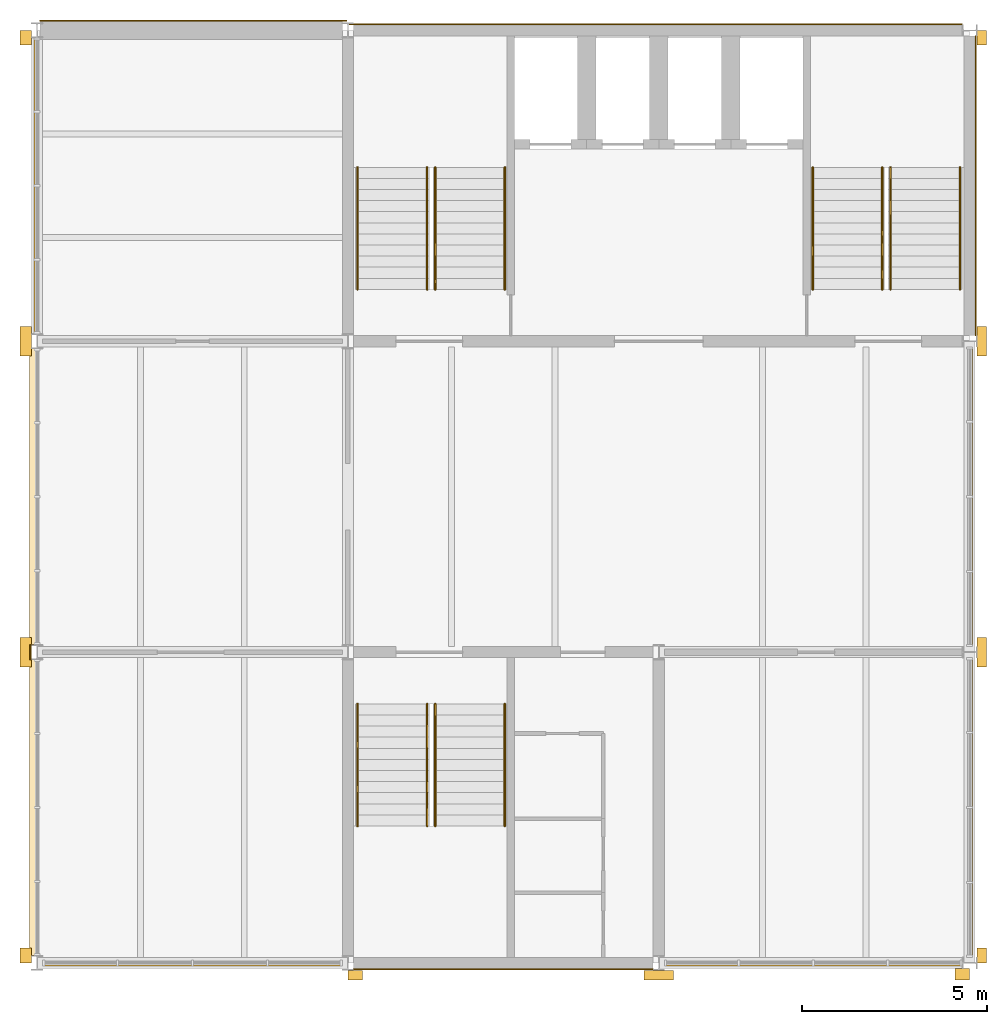
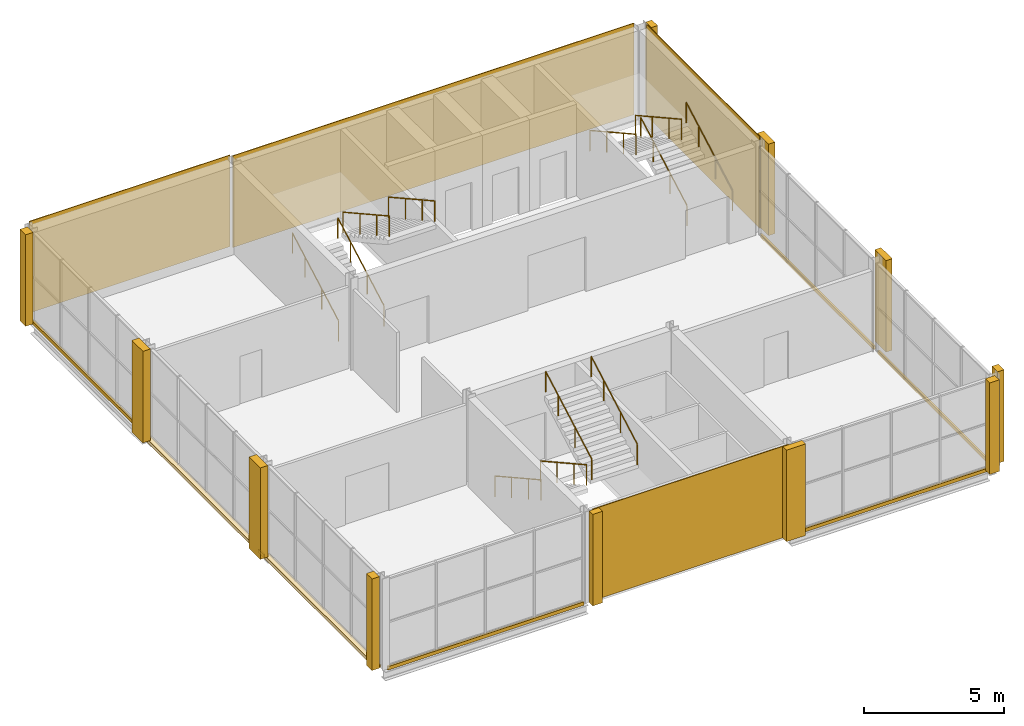
# One storey, part 8 of 8: 23 coverings, 12 railings.
"""IFC4 building model written with IfcOpenShell, lengths in metres."""

from ifc_helpers import new_model, si_unit, direction, frame, origin, origin_2d, place, context, subcontext, project, spatial, rectangle, circle, extrude, material, layer, layer_set, type_object, element, save


model = new_model("IFC4")

# Units and contexts
model_context = context("Model", 3, precision=1e-05, world=origin(), true_north=direction((0.0, 1.0)))
body_context = subcontext(model_context, "Body", "Model", "MODEL_VIEW")
ifc_project = project(units=[si_unit("LENGTHUNIT", "METRE"), si_unit("AREAUNIT", "SQUARE_METRE"), si_unit("VOLUMEUNIT", "CUBIC_METRE"), si_unit("PLANEANGLEUNIT", "RADIAN"), si_unit("MASSUNIT", "GRAM", prefix="KILO")], contexts=[model_context])

# Site, building, storey
site_placement = place(None, origin())
site = spatial("IfcSite", under=ifc_project, at=site_placement, CompositionType="ELEMENT")
building_placement = place(site_placement, origin())
building = spatial("IfcBuilding", under=site, at=building_placement, Name="Galleria Vessillo Department Store", CompositionType="ELEMENT")
storey_placement = place(building_placement, frame((0.0, 0.0, 51.60009765625)))
storey = spatial("IfcBuildingStorey", under=building, at=storey_placement, Name="L11", CompositionType="ELEMENT", Elevation=51.60009765625)

# Coverings
ifc_material_1 = material(Name="Lime plaster (intonaco) ochre")
ifc_layer_1 = layer(ifc_material_1, 0.030029296875)
ifc_layer_set_1 = layer_set([ifc_layer_1], Name="Lime plaster (intonaco) ochre")
covering_type_1 = type_object("IfcCoveringType", Name="Lime plaster render 30 mm", PredefinedType="CLADDING", material=ifc_layer_set_1)
covering_1_placement = place(storey_placement, frame((96.62255859375, 63.264892578125, 0.0), z_axis=(0.0, 0.0, 1.0), x_axis=(1.0, 0.0, 0.0)))
element("IfcCovering", 1, at=covering_1_placement, inside=storey, type_object=covering_type_1, Name="Wall cladding S-TN-L11-01", PredefinedType="CLADDING", context=body_context, shape_type="SweptSolid", body=[
    extrude(rectangle(XDim=8.29541015625, YDim=0.030029296875, at=origin_2d()), origin(), (0.0, 0.0, 1.0), 4.0),
])
covering_2_placement = place(storey_placement, frame((109.114990234375, 63.1650390625, 0.0), z_axis=(0.0, 0.0, 1.0), x_axis=(1.0, 0.0, 0.0)))
element("IfcCovering", 2, at=covering_2_placement, inside=storey, type_object=covering_type_1, Name="Wall cladding S-CW-TC-PARTY-L11", PredefinedType="CLADDING", context=body_context, shape_type="SweptSolid", body=[
    extrude(rectangle(XDim=16.570068359375, YDim=0.030029296875, at=origin_2d()), origin(), (0.0, 0.0, 1.0), 4.0),
])
ifc_material_2 = material(Name="Botticino limestone ashlar", Category="masonry")
ifc_layer_2 = layer(ifc_material_2, 0.14990234375)
ifc_layer_set_2 = layer_set([ifc_layer_2], Name="Botticino limestone ashlar")
covering_type_2 = type_object("IfcCoveringType", Name="Limestone slab-edge fascia 150 mm", PredefinedType="CLADDING", material=ifc_layer_set_2)
covering_3_placement = place(storey_placement, frame((92.2998046875, 42.0, -0.14990234375), z_axis=(0.0, 0.0, 1.0), x_axis=(1.0, 0.0, 0.0)))
element("IfcCovering", 3, at=covering_3_placement, inside=storey, type_object=covering_type_2, Name="Slab-edge fascia TW-L10-01", PredefinedType="CLADDING", context=body_context, shape_type="SweptSolid", body=[
    extrude(rectangle(XDim=0.199951171875, YDim=8.0, at=origin_2d()), origin(), (0.0, 0.0, 1.0), 0.14990234375),
])
covering_4_placement = place(storey_placement, frame((92.2998046875, 50.39990234375, -0.14990234375), z_axis=(0.0, 0.0, 1.0), x_axis=(1.0, 0.0, 0.0)))
element("IfcCovering", 4, at=covering_4_placement, inside=storey, type_object=covering_type_2, Name="Slab-edge fascia TW-L10-02", PredefinedType="CLADDING", context=body_context, shape_type="SweptSolid", body=[
    extrude(rectangle(XDim=0.199951171875, YDim=8.000244140625, at=origin_2d()), origin(), (0.0, 0.0, 1.0), 0.14990234375),
])
covering_5_placement = place(storey_placement, frame((92.35986328125, 58.800048828125, -0.14990234375), z_axis=(0.0, 0.0, 1.0), x_axis=(1.0, 0.0, 0.0)))
element("IfcCovering", 5, at=covering_5_placement, inside=storey, type_object=covering_type_2, Name="Slab-edge fascia TW-L10-03", PredefinedType="CLADDING", context=body_context, shape_type="SweptSolid", body=[
    extrude(rectangle(XDim=0.080078125, YDim=8.0, at=origin_2d()), origin(), (0.0, 0.0, 1.0), 0.14990234375),
])
covering_6_placement = place(storey_placement, frame((96.60009765625, 37.760009765625, -0.14990234375), z_axis=(0.0, 0.0, 1.0), x_axis=(1.0, 0.0, 0.0)))
element("IfcCovering", 6, at=covering_6_placement, inside=storey, type_object=covering_type_2, Name="Slab-edge fascia TS-L10-01", PredefinedType="CLADDING", context=body_context, shape_type="SweptSolid", body=[
    extrude(rectangle(XDim=8.10009765625, YDim=0.080078125, at=origin_2d()), origin(), (0.0, 0.0, 1.0), 0.14990234375),
])
covering_7_placement = place(storey_placement, frame((113.375, 37.760009765625, -0.14990234375), z_axis=(0.0, 0.0, 1.0), x_axis=(1.0, 0.0, 0.0)))
element("IfcCovering", 7, at=covering_7_placement, inside=storey, type_object=covering_type_2, Name="Slab-edge fascia TS-L10-02", PredefinedType="CLADDING", context=body_context, shape_type="SweptSolid", body=[
    extrude(rectangle(XDim=8.050048828125, YDim=0.080078125, at=origin_2d()), origin(), (0.0, 0.0, 1.0), 0.14990234375),
])
covering_8_placement = place(storey_placement, frame((117.64013671875, 42.0, -0.14990234375), z_axis=(0.0, 0.0, 1.0), x_axis=(1.0, 0.0, 0.0)))
element("IfcCovering", 8, at=covering_8_placement, inside=storey, type_object=covering_type_2, Name="Slab-edge fascia TE-L10-01", PredefinedType="CLADDING", context=body_context, shape_type="SweptSolid", body=[
    extrude(rectangle(XDim=0.080078125, YDim=8.099853515625, at=origin_2d()), origin(), (0.0, 0.0, 1.0), 0.14990234375),
])
covering_9_placement = place(storey_placement, frame((117.64013671875, 50.39990234375, -0.14990234375), z_axis=(0.0, 0.0, 1.0), x_axis=(1.0, 0.0, 0.0)))
element("IfcCovering", 9, at=covering_9_placement, inside=storey, type_object=covering_type_2, Name="Slab-edge fascia TE-L10-02", PredefinedType="CLADDING", context=body_context, shape_type="SweptSolid", body=[
    extrude(rectangle(XDim=0.080078125, YDim=8.10009765625, at=origin_2d()), origin(), (0.0, 0.0, 1.0), 0.14990234375),
])
covering_10_placement = place(storey_placement, frame((92.224853515625, 46.199951171875, -0.150146484375), z_axis=(0.0, 0.0, 1.0), x_axis=(1.0, 0.0, 0.0)))
element("IfcCovering", 10, at=covering_10_placement, inside=storey, type_object=covering_type_2, Name="Joint block Slab-edge fascia TW-L10-01", PredefinedType="CLADDING", context=body_context, shape_type="SweptSolid", body=[
    extrude(rectangle(XDim=0.0498046875, YDim=0.39990234375, at=origin_2d()), origin(), (0.0, 0.0, 1.0), 0.14990234375),
])
ifc_material_3 = material(Name="Botticino limestone ashlar", Category="masonry")
ifc_layer_3 = layer(ifc_material_3, 0.31005859375)
ifc_layer_set_3 = layer_set([ifc_layer_3], Name="Botticino limestone ashlar")
covering_type_3 = type_object("IfcCoveringType", Name="Limestone tower pilaster strip", PredefinedType="CLADDING", material=ifc_layer_set_3)
covering_11_placement = place(storey_placement, frame((92.094970703125, 38.0, 0.0), z_axis=(0.0, 0.0, 1.0), x_axis=(1.0, 0.0, 0.0)))
element("IfcCovering", 11, at=covering_11_placement, inside=storey, type_object=covering_type_3, Name="Tower pilaster strip W L11 37.8", PredefinedType="CLADDING", context=body_context, shape_type="SweptSolid", body=[
    extrude(rectangle(XDim=0.31005859375, YDim=0.39990234375, at=origin_2d()), origin(), (0.0, 0.0, 1.0), 4.0),
])
for number, where, z_axis, x_axis, name in (
    (12, (92.094970703125, 46.199951171875, 0.0), (0.0, 0.0, 1.0), (1.0, 0.0, 0.0), "Tower pilaster strip W L11 46.2"),
    (13, (92.094970703125, 54.60009765625, 0.0), (0.0, 0.0, 1.0), (1.0, 0.0, 0.0), "Tower pilaster strip W L11 54.6"),
):
    element("IfcCovering", number, at=place(storey_placement, frame(where, z_axis=z_axis, x_axis=x_axis)), inside=storey, type_object=covering_type_3, Name=name, PredefinedType="CLADDING", context=body_context, shape_type="SweptSolid", body=[
        extrude(rectangle(XDim=0.31005859375, YDim=0.800048828125, at=origin_2d()), origin(), (0.0, 0.0, 1.0), 4.0),
    ])
covering_12_placement = place(storey_placement, frame((92.094970703125, 62.800048828125, 0.0), z_axis=(0.0, 0.0, 1.0), x_axis=(1.0, 0.0, 0.0)))
element("IfcCovering", 14, at=covering_12_placement, inside=storey, type_object=covering_type_3, Name="Tower pilaster strip W L11 63.0", PredefinedType="CLADDING", context=body_context, shape_type="SweptSolid", body=[
    extrude(rectangle(XDim=0.31005859375, YDim=0.39990234375, at=origin_2d()), origin(), (0.0, 0.0, 1.0), 4.0),
])
covering_13_placement = place(storey_placement, frame((117.929931640625, 38.0, 0.0), z_axis=(0.0, 0.0, 1.0), x_axis=(1.0, 0.0, 0.0)))
element("IfcCovering", 15, at=covering_13_placement, inside=storey, type_object=covering_type_3, Name="Tower pilaster strip E L11 37.8", PredefinedType="CLADDING", context=body_context, shape_type="SweptSolid", body=[
    extrude(rectangle(XDim=0.260009765625, YDim=0.39990234375, at=origin_2d()), origin(), (0.0, 0.0, 1.0), 4.0),
])
for number, where, z_axis, x_axis, name in (
    (16, (117.929931640625, 46.199951171875, 0.0), (0.0, 0.0, 1.0), (1.0, 0.0, 0.0), "Tower pilaster strip E L11 46.2"),
    (17, (117.929931640625, 54.60009765625, 0.0), (0.0, 0.0, 1.0), (1.0, 0.0, 0.0), "Tower pilaster strip E L11 54.6"),
):
    element("IfcCovering", number, at=place(storey_placement, frame(where, z_axis=z_axis, x_axis=x_axis)), inside=storey, type_object=covering_type_3, Name=name, PredefinedType="CLADDING", context=body_context, shape_type="SweptSolid", body=[
        extrude(rectangle(XDim=0.260009765625, YDim=0.800048828125, at=origin_2d()), origin(), (0.0, 0.0, 1.0), 4.0),
    ])
covering_14_placement = place(storey_placement, frame((117.929931640625, 62.800048828125, 0.0), z_axis=(0.0, 0.0, 1.0), x_axis=(1.0, 0.0, 0.0)))
element("IfcCovering", 18, at=covering_14_placement, inside=storey, type_object=covering_type_3, Name="Tower pilaster strip E L11 63.0", PredefinedType="CLADDING", context=body_context, shape_type="SweptSolid", body=[
    extrude(rectangle(XDim=0.260009765625, YDim=0.39990234375, at=origin_2d()), origin(), (0.0, 0.0, 1.0), 4.0),
])
covering_15_placement = place(storey_placement, frame((101.0, 37.469970703125, 0.0), z_axis=(0.0, 0.0, 1.0), x_axis=(1.0, 0.0, 0.0)))
element("IfcCovering", 19, at=covering_15_placement, inside=storey, type_object=covering_type_3, Name="Tower pilaster strip S L11 100.8", PredefinedType="CLADDING", context=body_context, shape_type="SweptSolid", body=[
    extrude(rectangle(XDim=0.39990234375, YDim=0.260009765625, at=origin_2d()), origin(), (0.0, 0.0, 1.0), 4.0),
])
covering_16_placement = place(storey_placement, frame((109.199951171875, 37.469970703125, 0.0), z_axis=(0.0, 0.0, 1.0), x_axis=(1.0, 0.0, 0.0)))
element("IfcCovering", 20, at=covering_16_placement, inside=storey, type_object=covering_type_3, Name="Tower pilaster strip S L11 109.2", PredefinedType="CLADDING", context=body_context, shape_type="SweptSolid", body=[
    extrude(rectangle(XDim=0.800048828125, YDim=0.260009765625, at=origin_2d()), origin(), (0.0, 0.0, 1.0), 4.0),
])
covering_17_placement = place(storey_placement, frame((117.400146484375, 37.4951171875, 0.0), z_axis=(0.0, 0.0, 1.0), x_axis=(1.0, 0.0, 0.0)))
element("IfcCovering", 21, at=covering_17_placement, inside=storey, type_object=covering_type_3, Name="Tower pilaster strip S L11 117.6", PredefinedType="CLADDING", context=body_context, shape_type="SweptSolid", body=[
    extrude(rectangle(XDim=0.39990234375, YDim=0.31005859375, at=origin_2d()), origin(), (0.0, 0.0, 1.0), 4.0),
])
ifc_material_4 = material(Name="Botticino limestone ashlar", Category="masonry")
ifc_layer_4 = layer(ifc_material_4, 0.030029296875)
ifc_layer_set_4 = layer_set([ifc_layer_4], Name="Botticino limestone ashlar")
covering_type_4 = type_object("IfcCoveringType", Name="Limestone wall cladding 30 mm", PredefinedType="CLADDING", material=ifc_layer_set_4)
covering_18_placement = place(storey_placement, frame((117.76513671875, 58.800048828125, 0.0), z_axis=(0.0, 0.0, 1.0), x_axis=(1.0, 0.0, 0.0)))
element("IfcCovering", 22, at=covering_18_placement, inside=storey, type_object=covering_type_4, Name="Wall cladding S-CW-TC-EAST-L11", PredefinedType="CLADDING", context=body_context, shape_type="SweptSolid", body=[
    extrude(rectangle(XDim=0.030029296875, YDim=8.099853515625, at=origin_2d()), origin(), (0.0, 0.0, 1.0), 4.0),
])
covering_19_placement = place(storey_placement, frame((105.0, 37.635009765625, 0.0), z_axis=(0.0, 0.0, 1.0), x_axis=(1.0, 0.0, 0.0)))
element("IfcCovering", 23, at=covering_19_placement, inside=storey, type_object=covering_type_4, Name="Wall cladding S-CW-TS-PARTY-L11", PredefinedType="CLADDING", context=body_context, shape_type="SweptSolid", body=[
    extrude(rectangle(XDim=8.099853515625, YDim=0.030029296875, at=origin_2d()), origin(), (0.0, 0.0, 1.0), 4.0),
])

# Railings
ifc_material_5 = material(Name="Stainless steel tube", Category="steel")
railing_type = type_object("IfcRailingType", Name="Stair handrail steel tube 48 mm", PredefinedType="HANDRAIL", material=ifc_material_5)
for number, where, name in (
    (24, (101.06005859375, 56.0, 0.166748046875), "Handrail ST8 L11 flight 1A"),
    (25, (102.93994140625, 56.0, 0.166748046875), "Handrail ST8 L11 flight 1B"),
):
    element("IfcRailing", number, at=place(storey_placement, frame(where)), inside=storey, type_object=railing_type, Name=name, PredefinedType="HANDRAIL", context=body_context, shape_type="SweptSolid", body=[
        extrude(circle(Radius=0.02392578125, at=origin_2d()), frame((0.0, 0.0, 0.89599609375), z_axis=(0.0, 0.874199221805, 0.485567421267), x_axis=(-1.0, 0.0, 0.0)), (0.0, 0.0, 1.0), 1.37255859375),
        extrude(circle(Radius=0.02392578125, at=origin_2d()), frame((0.0, 1.199951171875, 1.5625), z_axis=(0.0, 0.874123717778, 0.485703331282), x_axis=(-1.0, 0.0, 0.0)), (0.0, 0.0, 1.0), 1.372802734375),
        extrude(circle(Radius=0.02392578125, at=origin_2d()), frame((0.0, 2.39990234375, 2.22900390625), z_axis=(0.0, 0.874190826042, 0.485582536407), x_axis=(-1.0, 0.0, 0.0)), (0.0, 0.0, 1.0), 1.02978515625),
        extrude(circle(Radius=0.02099609375, at=origin_2d()), origin(), (0.0, 0.0, 1.0), 0.871826171875),
        extrude(circle(Radius=0.02099609375, at=origin_2d()), frame((0.0, 1.199951171875, 0.66650390625)), (0.0, 0.0, 1.0), 0.871826171875),
        extrude(circle(Radius=0.02099609375, at=origin_2d()), frame((0.0, 2.39990234375, 1.333251953125)), (0.0, 0.0, 1.0), 0.871826171875),
        extrude(circle(Radius=0.02099609375, at=origin_2d()), frame((0.0, 3.300048828125, 1.833251953125)), (0.0, 0.0, 1.0), 0.871826171875),
    ])
for number, where, name in (
    (26, (105.0400390625, 59.300048828125, 2.166748046875), "Handrail ST8 L11 flight 2A"),
    (27, (103.16015625, 59.300048828125, 2.166748046875), "Handrail ST8 L11 flight 2B"),
):
    element("IfcRailing", number, at=place(storey_placement, frame(where)), inside=storey, type_object=railing_type, Name=name, PredefinedType="HANDRAIL", context=body_context, shape_type="SweptSolid", body=[
        extrude(circle(Radius=0.02392578125, at=origin_2d()), frame((0.0, 0.0, 0.89599609375), z_axis=(0.0, -0.874199221805, 0.485567421267), x_axis=(1.0, 0.0, 0.0)), (0.0, 0.0, 1.0), 1.37255859375),
        extrude(circle(Radius=0.02392578125, at=origin_2d()), frame((0.0, -1.199951171875, 1.5625), z_axis=(0.0, -0.874123717778, 0.485703331282), x_axis=(1.0, 0.0, 0.0)), (0.0, 0.0, 1.0), 1.372802734375),
        extrude(circle(Radius=0.02392578125, at=origin_2d()), frame((0.0, -2.39990234375, 2.22900390625), z_axis=(0.0, -0.874190826042, 0.485582536407), x_axis=(1.0, 0.0, 0.0)), (0.0, 0.0, 1.0), 1.02978515625),
        extrude(circle(Radius=0.02099609375, at=origin_2d()), origin(), (0.0, 0.0, 1.0), 0.871826171875),
        extrude(circle(Radius=0.02099609375, at=origin_2d()), frame((0.0, -1.199951171875, 0.66650390625)), (0.0, 0.0, 1.0), 0.871826171875),
        extrude(circle(Radius=0.02099609375, at=origin_2d()), frame((0.0, -2.39990234375, 1.333251953125)), (0.0, 0.0, 1.0), 0.871826171875),
        extrude(circle(Radius=0.02099609375, at=origin_2d()), frame((0.0, -3.300048828125, 1.833251953125)), (0.0, 0.0, 1.0), 0.871826171875),
    ])
for number, where, name in (
    (28, (115.4599609375, 56.0, 0.166748046875), "Handrail ST9 L11 flight 1A"),
    (29, (117.33984375, 56.0, 0.166748046875), "Handrail ST9 L11 flight 1B"),
):
    element("IfcRailing", number, at=place(storey_placement, frame(where)), inside=storey, type_object=railing_type, Name=name, PredefinedType="HANDRAIL", context=body_context, shape_type="SweptSolid", body=[
        extrude(circle(Radius=0.02392578125, at=origin_2d()), frame((0.0, 0.0, 0.89599609375), z_axis=(0.0, 0.874199221805, 0.485567421267), x_axis=(-1.0, 0.0, 0.0)), (0.0, 0.0, 1.0), 1.37255859375),
        extrude(circle(Radius=0.02392578125, at=origin_2d()), frame((0.0, 1.199951171875, 1.5625), z_axis=(0.0, 0.874123717778, 0.485703331282), x_axis=(-1.0, 0.0, 0.0)), (0.0, 0.0, 1.0), 1.372802734375),
        extrude(circle(Radius=0.02392578125, at=origin_2d()), frame((0.0, 2.39990234375, 2.22900390625), z_axis=(0.0, 0.874190826042, 0.485582536407), x_axis=(-1.0, 0.0, 0.0)), (0.0, 0.0, 1.0), 1.02978515625),
        extrude(circle(Radius=0.02099609375, at=origin_2d()), origin(), (0.0, 0.0, 1.0), 0.871826171875),
        extrude(circle(Radius=0.02099609375, at=origin_2d()), frame((0.0, 1.199951171875, 0.66650390625)), (0.0, 0.0, 1.0), 0.871826171875),
        extrude(circle(Radius=0.02099609375, at=origin_2d()), frame((0.0, 2.39990234375, 1.333251953125)), (0.0, 0.0, 1.0), 0.871826171875),
        extrude(circle(Radius=0.02099609375, at=origin_2d()), frame((0.0, 3.300048828125, 1.833251953125)), (0.0, 0.0, 1.0), 0.871826171875),
    ])
for number, where, name in (
    (30, (115.239990234375, 59.300048828125, 2.166748046875), "Handrail ST9 L11 flight 2A"),
    (31, (113.360107421875, 59.300048828125, 2.166748046875), "Handrail ST9 L11 flight 2B"),
    (32, (102.93994140625, 44.800048828125, 0.166748046875), "Handrail ST12 L11 flight 1A"),
    (33, (101.06005859375, 44.800048828125, 0.166748046875), "Handrail ST12 L11 flight 1B"),
):
    element("IfcRailing", number, at=place(storey_placement, frame(where)), inside=storey, type_object=railing_type, Name=name, PredefinedType="HANDRAIL", context=body_context, shape_type="SweptSolid", body=[
        extrude(circle(Radius=0.02392578125, at=origin_2d()), frame((0.0, 0.0, 0.89599609375), z_axis=(0.0, -0.874199221805, 0.485567421267), x_axis=(1.0, 0.0, 0.0)), (0.0, 0.0, 1.0), 1.37255859375),
        extrude(circle(Radius=0.02392578125, at=origin_2d()), frame((0.0, -1.199951171875, 1.5625), z_axis=(0.0, -0.874123717778, 0.485703331282), x_axis=(1.0, 0.0, 0.0)), (0.0, 0.0, 1.0), 1.372802734375),
        extrude(circle(Radius=0.02392578125, at=origin_2d()), frame((0.0, -2.39990234375, 2.22900390625), z_axis=(0.0, -0.874190826042, 0.485582536407), x_axis=(1.0, 0.0, 0.0)), (0.0, 0.0, 1.0), 1.02978515625),
        extrude(circle(Radius=0.02099609375, at=origin_2d()), origin(), (0.0, 0.0, 1.0), 0.871826171875),
        extrude(circle(Radius=0.02099609375, at=origin_2d()), frame((0.0, -1.199951171875, 0.66650390625)), (0.0, 0.0, 1.0), 0.871826171875),
        extrude(circle(Radius=0.02099609375, at=origin_2d()), frame((0.0, -2.39990234375, 1.333251953125)), (0.0, 0.0, 1.0), 0.871826171875),
        extrude(circle(Radius=0.02099609375, at=origin_2d()), frame((0.0, -3.300048828125, 1.833251953125)), (0.0, 0.0, 1.0), 0.871826171875),
    ])
for number, where, name in (
    (34, (103.16015625, 41.5, 2.166748046875), "Handrail ST12 L11 flight 2A"),
    (35, (105.0400390625, 41.5, 2.166748046875), "Handrail ST12 L11 flight 2B"),
):
    element("IfcRailing", number, at=place(storey_placement, frame(where)), inside=storey, type_object=railing_type, Name=name, PredefinedType="HANDRAIL", context=body_context, shape_type="SweptSolid", body=[
        extrude(circle(Radius=0.02392578125, at=origin_2d()), frame((0.0, 0.0, 0.89599609375), z_axis=(0.0, 0.874199221805, 0.485567421267), x_axis=(-1.0, 0.0, 0.0)), (0.0, 0.0, 1.0), 1.37255859375),
        extrude(circle(Radius=0.02392578125, at=origin_2d()), frame((0.0, 1.199951171875, 1.5625), z_axis=(0.0, 0.874123717778, 0.485703331282), x_axis=(-1.0, 0.0, 0.0)), (0.0, 0.0, 1.0), 1.372802734375),
        extrude(circle(Radius=0.02392578125, at=origin_2d()), frame((0.0, 2.39990234375, 2.22900390625), z_axis=(0.0, 0.874190826042, 0.485582536407), x_axis=(-1.0, 0.0, 0.0)), (0.0, 0.0, 1.0), 1.02978515625),
        extrude(circle(Radius=0.02099609375, at=origin_2d()), origin(), (0.0, 0.0, 1.0), 0.871826171875),
        extrude(circle(Radius=0.02099609375, at=origin_2d()), frame((0.0, 1.199951171875, 0.66650390625)), (0.0, 0.0, 1.0), 0.871826171875),
        extrude(circle(Radius=0.02099609375, at=origin_2d()), frame((0.0, 2.39990234375, 1.333251953125)), (0.0, 0.0, 1.0), 0.871826171875),
        extrude(circle(Radius=0.02099609375, at=origin_2d()), frame((0.0, 3.300048828125, 1.833251953125)), (0.0, 0.0, 1.0), 0.871826171875),
    ])

save(model, "model.ifc")
